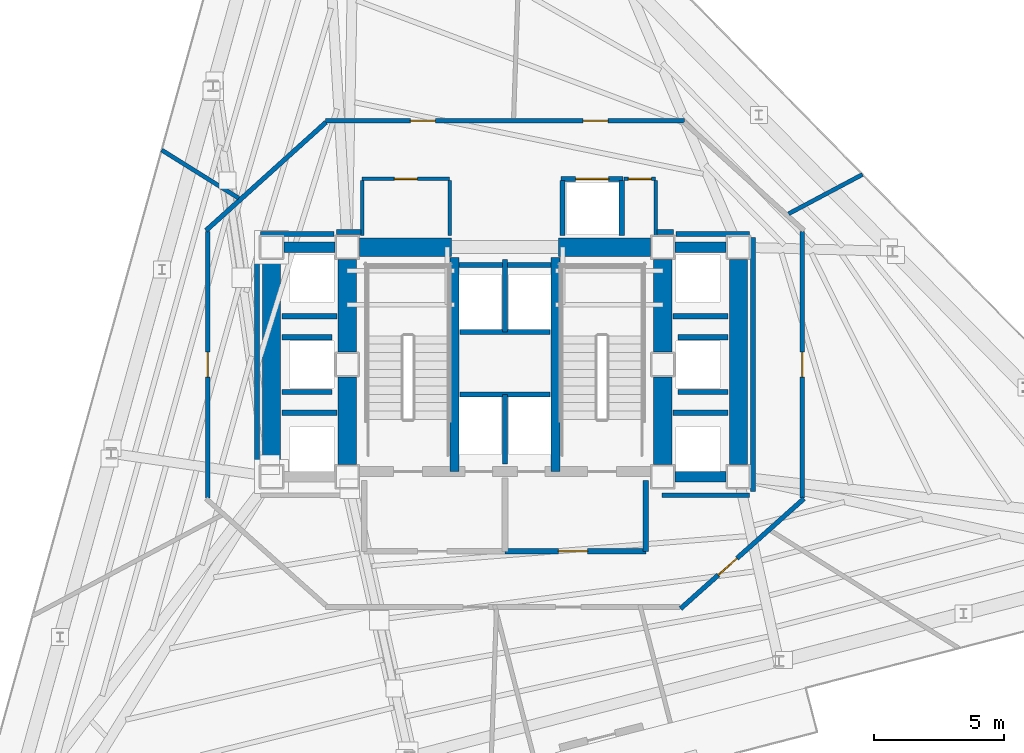
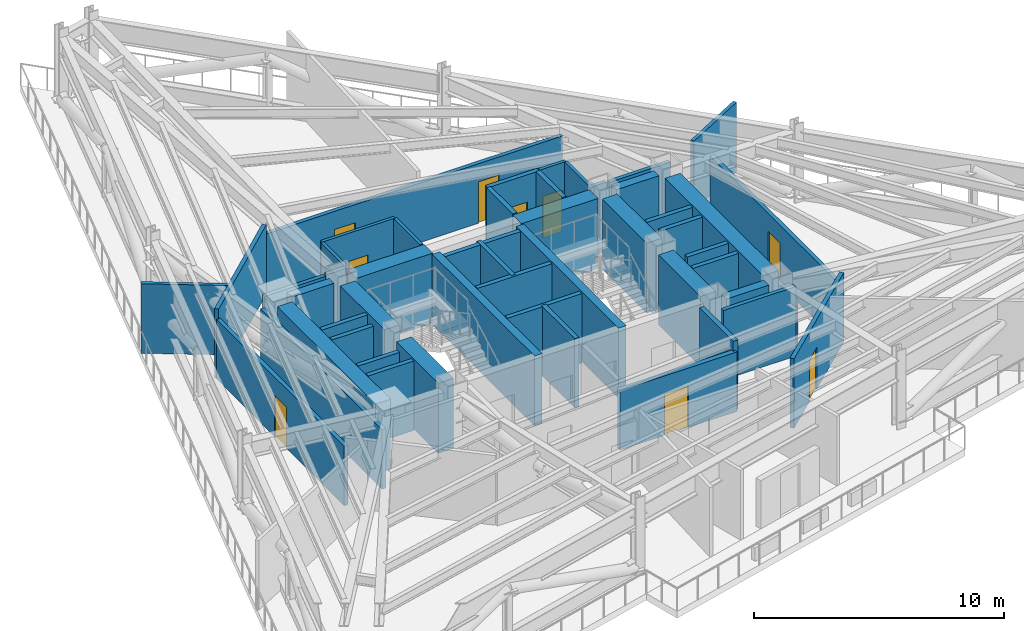
# One storey, part 7 of 11: 50 walls, 9 doors, 9 openings.
"""IFC4 building model written with IfcOpenShell, lengths in metres."""

from ifc_helpers import new_model, si_unit, direction, frame, frame_2d, origin, place, context, subcontext, project, spatial, rectangle, extrude, material, layer, layer_set, type_object, element, fill, save


model = new_model("IFC4")

# Units and contexts
model_context = context("Model", 3, precision=1e-05, world=origin(), true_north=direction((0.0, 1.0)))
body_context = subcontext(model_context, "Body", "Model", "MODEL_VIEW")
ifc_project = project(units=[si_unit("LENGTHUNIT", "METRE"), si_unit("AREAUNIT", "SQUARE_METRE"), si_unit("VOLUMEUNIT", "CUBIC_METRE"), si_unit("PLANEANGLEUNIT", "RADIAN"), si_unit("MASSUNIT", "GRAM", prefix="KILO")], contexts=[model_context])

# Site, building, storey
site_placement = place(None, origin())
site = spatial("IfcSite", under=ifc_project, at=site_placement, CompositionType="ELEMENT")
building_placement = place(site_placement, origin())
building = spatial("IfcBuilding", under=site, at=building_placement, Name="Rocaltana Carrier Exchange", CompositionType="ELEMENT")
storey_placement = place(building_placement, frame((0.0, 0.0, 100.800048828125)))
storey = spatial("IfcBuildingStorey", under=building, at=storey_placement, Name="L31", CompositionType="ELEMENT", Elevation=100.800048828125)

# Walls
ifc_material_1 = material(Name="Double Acoustic Gypsum Partition", Category="gypsum")
ifc_layer_1 = layer(ifc_material_1, 0.159912109375)
ifc_layer_set_1 = layer_set([ifc_layer_1], Name="Double Acoustic Gypsum Partition")
wall_type_1 = type_object("IfcWallType", Name="Acoustic Studio Partition 160 EI60", PredefinedType="PARTITIONING", material=ifc_layer_set_1)
wall_1_placement = place(storey_placement, frame((10.874267578125, 5.781982421875, 0.0), z_axis=(0.0, 0.0, 1.0), x_axis=(0.882948212964, 0.469470396536, 0.0)))
element("IfcWall", 1, at=wall_1_placement, inside=storey, type_object=wall_type_1, Name="L31 Suite Divider Wall D4", PredefinedType="PARTITIONING", context=body_context, shape_type="SweptSolid", body=[
    extrude(rectangle(XDim=3.209228515625, YDim=0.159912109375, at=frame_2d((1.6044921875, 0.0))), origin(), (0.0, 0.0, 1.0), 3.39306640625),
])
wall_2_placement = place(storey_placement, frame((-10.2109375, 6.380615234375, 0.0), z_axis=(0.0, 0.0, 1.0), x_axis=(-0.848061277386, 0.529898169272, 0.0)))
element("IfcWall", 2, at=wall_2_placement, inside=storey, type_object=wall_type_1, Name="L31 Suite Divider Wall D6", PredefinedType="PARTITIONING", context=body_context, shape_type="SweptSolid", body=[
    extrude(rectangle(XDim=3.484619140625, YDim=0.159912109375, at=frame_2d((1.7421875, 0.0))), origin(), (0.0, 0.0, 1.0), 3.39306640625),
])
ifc_material_2 = material(Name="Concrete C50/60", Category="concrete")
ifc_layer_2 = layer(ifc_material_2, 0.35009765625)
ifc_layer_set_2 = layer_set([ifc_layer_2], Name="Concrete C50/60")
wall_type_2 = type_object("IfcWallType", Name="Core Internal Shear Wall 350", PredefinedType="SHEAR", material=ifc_layer_set_2)
for number, where, z_axis, x_axis, name in (
    (3, (-1.93994140625, -4.10009765625, 0.0), (0.0, 0.0, 1.0), (0.0, 1.0, 0.0), "L31 Core Shear Wall CW-STW"),
    (4, (1.93994140625, -4.10009765625, 0.0), (0.0, 0.0, 1.0), (0.0, 1.0, 0.0), "L31 Core Shear Wall CW-STE"),
):
    element("IfcWall", number, at=place(storey_placement, frame(where, z_axis=z_axis, x_axis=x_axis)), inside=storey, type_object=wall_type_2, Name=name, PredefinedType="SHEAR", context=body_context, shape_type="SweptSolid", body=[
        extrude(rectangle(XDim=8.2001953125, YDim=0.35009765625, at=frame_2d((4.10009765625, 0.0))), origin(), (0.0, 0.0, 1.0), 3.41796875),
    ])
ifc_material_3 = material(Name="Concrete C50/60", Category="concrete")
ifc_layer_3 = layer(ifc_material_3, 0.39990234375)
ifc_layer_set_3 = layer_set([ifc_layer_3], Name="Concrete C50/60")
wall_type_3 = type_object("IfcWallType", Name="Core Internal Shear Wall 400", PredefinedType="SHEAR", material=ifc_layer_set_3)
for number, where, z_axis, x_axis, name in (
    (5, (-8.47509765625, 4.5, 0.0), (0.0, 0.0, 1.0), (1.0, 0.0, 0.0), "L31 Core Shear Wall CW-WWN"),
    (6, (6.52490234375, 4.5, 0.0), (0.0, 0.0, 1.0), (1.0, 0.0, 0.0), "L31 Core Shear Wall CW-EWN"),
    (7, (6.52490234375, -4.300048828125, 0.0), (0.0, 0.0, 1.0), (1.0, 0.0, 0.0), "L31 Core Shear Wall CW-EWS"),
):
    element("IfcWall", number, at=place(storey_placement, frame(where, z_axis=z_axis, x_axis=x_axis)), inside=storey, type_object=wall_type_3, Name=name, PredefinedType="SHEAR", context=body_context, shape_type="SweptSolid", body=[
        extrude(rectangle(XDim=1.9501953125, YDim=0.39990234375, at=frame_2d((0.97509765625, 0.0))), origin(), (0.0, 0.0, 1.0), 3.41796875),
    ])
ifc_material_4 = material(Name="Concrete C60/75", Category="concrete")
ifc_layer_4 = layer(ifc_material_4, 0.699951171875)
ifc_layer_set_4 = layer_set([ifc_layer_4], Name="Concrete C60/75")
wall_type_4 = type_object("IfcWallType", Name="Core Shear Wall 700", PredefinedType="SHEAR", material=ifc_layer_set_4)
wall_3_placement = place(storey_placement, frame((-6.050048828125, 0.47509765625, 0.0), z_axis=(0.0, 0.0, 1.0), x_axis=(0.0, 1.0, 0.0)))
element("IfcWall", 8, at=wall_3_placement, inside=storey, type_object=wall_type_4, Name="L31 Core Shear Wall CW-WN", PredefinedType="SHEAR", context=body_context, shape_type="SweptSolid", body=[
    extrude(rectangle(XDim=3.5498046875, YDim=0.699951171875, at=frame_2d((1.77490234375, 0.0))), origin(), (0.0, 0.0, 1.0), 3.41796875),
])
wall_4_placement = place(storey_placement, frame((-6.050048828125, -3.824951171875, 0.0), z_axis=(0.0, 0.0, 1.0), x_axis=(0.0, 1.0, 0.0)))
element("IfcWall", 9, at=wall_4_placement, inside=storey, type_object=wall_type_4, Name="L31 Core Shear Wall CW-WS", PredefinedType="SHEAR", context=body_context, shape_type="SweptSolid", body=[
    extrude(rectangle(XDim=3.349853515625, YDim=0.699951171875, at=frame_2d((1.6748046875, 0.0))), origin(), (0.0, 0.0, 1.0), 3.41796875),
])
wall_5_placement = place(storey_placement, frame((6.050048828125, 0.47509765625, 0.0), z_axis=(0.0, 0.0, 1.0), x_axis=(0.0, 1.0, 0.0)))
element("IfcWall", 10, at=wall_5_placement, inside=storey, type_object=wall_type_4, Name="L31 Core Shear Wall CW-EN", PredefinedType="SHEAR", context=body_context, shape_type="SweptSolid", body=[
    extrude(rectangle(XDim=3.5498046875, YDim=0.699951171875, at=frame_2d((1.77490234375, 0.0))), origin(), (0.0, 0.0, 1.0), 3.41796875),
])
wall_6_placement = place(storey_placement, frame((6.050048828125, -3.824951171875, 0.0), z_axis=(0.0, 0.0, 1.0), x_axis=(0.0, 1.0, 0.0)))
element("IfcWall", 11, at=wall_6_placement, inside=storey, type_object=wall_type_4, Name="L31 Core Shear Wall CW-ES", PredefinedType="SHEAR", context=body_context, shape_type="SweptSolid", body=[
    extrude(rectangle(XDim=3.349853515625, YDim=0.699951171875, at=frame_2d((1.6748046875, 0.0))), origin(), (0.0, 0.0, 1.0), 3.41796875),
])
for number, where, z_axis, x_axis, name in (
    (12, (-5.574951171875, 4.5, 0.0), (0.0, 0.0, 1.0), (1.0, 0.0, 0.0), "L31 Core Shear Wall CW-N1"),
    (13, (2.050048828125, 4.5, 0.0), (0.0, 0.0, 1.0), (1.0, 0.0, 0.0), "L31 Core Shear Wall CW-N2"),
):
    element("IfcWall", number, at=place(storey_placement, frame(where, z_axis=z_axis, x_axis=x_axis)), inside=storey, type_object=wall_type_4, Name=name, PredefinedType="SHEAR", context=body_context, shape_type="SweptSolid", body=[
        extrude(rectangle(XDim=3.52490234375, YDim=0.699951171875, at=frame_2d((1.762451171875, 0.0))), origin(), (0.0, 0.0, 1.0), 3.41796875),
    ])
for number, where, z_axis, x_axis, name in (
    (14, (-8.949951171875, -3.824951171875, 0.0), (0.0, 0.0, 1.0), (0.0, 1.0, 0.0), "L31 Core Shear Wall CW-WW"),
    (15, (8.949951171875, -3.824951171875, 0.0), (0.0, 0.0, 1.0), (0.0, 1.0, 0.0), "L31 Core Shear Wall CW-EW"),
):
    element("IfcWall", number, at=place(storey_placement, frame(where, z_axis=z_axis, x_axis=x_axis)), inside=storey, type_object=wall_type_4, Name=name, PredefinedType="SHEAR", context=body_context, shape_type="SweptSolid", body=[
        extrude(rectangle(XDim=7.849853515625, YDim=0.699951171875, at=frame_2d((3.9248046875, 0.0))), origin(), (0.0, 0.0, 1.0), 3.41796875),
    ])

# Wall, openings, doors
ifc_material_5 = material(Name="Gypsum & Steel Stud Partition", Category="steel")
ifc_layer_5 = layer(ifc_material_5, 0.179931640625)
ifc_layer_set_5 = layer_set([ifc_layer_5], Name="Gypsum & Steel Stud Partition")
wall_type_5 = type_object("IfcWallType", Name="Corridor Fire Partition 180 EI60", PredefinedType="PARTITIONING", material=ifc_layer_set_5)
wall_7_placement = place(storey_placement, frame((-6.889892578125, 9.35009765625, 0.0), z_axis=(0.0, 0.0, 1.0), x_axis=(1.0, 0.0, 0.0)))
wall_7 = element("IfcWall", 16, at=wall_7_placement, inside=storey, type_object=wall_type_5, Name="L31 Corridor Partition 1", PredefinedType="PARTITIONING", context=body_context, shape_type="SweptSolid", body=[
    extrude(rectangle(XDim=13.77978515625, YDim=0.179931640625, at=frame_2d((6.889892578125, 0.0))), origin(), (0.0, 0.0, 1.0), 2.906982421875),
])
opening_1_placement = place(wall_7_placement, frame((9.889404296875, 0.0, 0.0)))
opening_1 = element("IfcOpeningElement", 17, at=opening_1_placement, cuts=wall_7, Name="Opening D-RM098", PredefinedType="OPENING", context=body_context, shape_type="SweptSolid", body=[
    extrude(rectangle(XDim=0.9599609375, YDim=2.02001953125, at=frame_2d((0.47998046875, 1.010009765625))), frame((0.0, 0.099853515625, 0.0), z_axis=(0.0, -1.0, 0.0), x_axis=(1.0, 0.0, 0.0)), (0.0, 0.0, 1.0), 0.199951171875),
])
opening_2_placement = place(wall_7_placement, frame((3.260009765625, 0.0, 0.0)))
opening_2 = element("IfcOpeningElement", 18, at=opening_2_placement, cuts=wall_7, Name="Opening D-RM098", PredefinedType="OPENING", context=body_context, shape_type="SweptSolid", body=[
    extrude(rectangle(XDim=0.9599609375, YDim=2.02001953125, at=frame_2d((0.47998046875, 1.010009765625))), frame((0.0, 0.099853515625, 0.0), z_axis=(0.0, -1.0, 0.0), x_axis=(1.0, 0.0, 0.0)), (0.0, 0.0, 1.0), 0.199951171875),
])
ifc_material_6 = material(Name="Engineered Hardwood Timber", Category="wood")
door_type_1 = type_object("IfcDoorType", Name="Workspace Single Door 960x2020", OperationType="NOTDEFINED", PredefinedType="DOOR", material=ifc_material_6)
door_1_placement = place(opening_1_placement, origin())
door_1 = element("IfcDoor", 19, at=door_1_placement, inside=storey, type_object=door_type_1, Name="L31 Thermal Hydronic Pump Room Entrance Door", OperationType="SINGLE_SWING_RIGHT", OverallHeight=2.02001953125, OverallWidth=0.9599609375, PredefinedType="DOOR", context=body_context, shape_type="SweptSolid", body=[
    extrude(rectangle(XDim=0.9599609375, YDim=2.02001953125, at=frame_2d((0.47998046875, 1.010009765625))), frame((0.0, 0.02490234375, 0.0), z_axis=(0.0, -1.0, 0.0), x_axis=(1.0, 0.0, 0.0)), (0.0, 0.0, 1.0), 0.050048828125),
])
fill(opening_1, door_1)
door_2_placement = place(opening_2_placement, origin())
door_2 = element("IfcDoor", 20, at=door_2_placement, inside=storey, type_object=door_type_1, Name="L31 Heat Recovery Plenum Room Entrance Door", OperationType="SINGLE_SWING_LEFT", OverallHeight=2.02001953125, OverallWidth=0.9599609375, PredefinedType="DOOR", context=body_context, shape_type="SweptSolid", body=[
    extrude(rectangle(XDim=0.9599609375, YDim=2.02001953125, at=frame_2d((0.47998046875, 1.010009765625))), frame((0.0, 0.02490234375, 0.0), z_axis=(0.0, -1.0, 0.0), x_axis=(1.0, 0.0, 0.0)), (0.0, 0.0, 1.0), 0.050048828125),
])
fill(opening_2, door_2)

# Wall, opening, door
wall_8_placement = place(storey_placement, frame((11.39990234375, 5.110107421875, 0.0), z_axis=(0.0, 0.0, 1.0), x_axis=(0.0, -1.0, 0.0)))
wall_8 = element("IfcWall", 21, at=wall_8_placement, inside=storey, type_object=wall_type_5, Name="L31 Corridor Partition 3", PredefinedType="PARTITIONING", context=body_context, shape_type="SweptSolid", body=[
    extrude(rectangle(XDim=10.22021484375, YDim=0.179931640625, at=frame_2d((5.110107421875, 0.0))), origin(), (0.0, 0.0, 1.0), 2.906982421875),
])
opening_3_placement = place(wall_8_placement, frame((4.6298828125, 0.0, 0.0)))
opening_3 = element("IfcOpeningElement", 22, at=opening_3_placement, cuts=wall_8, Name="Opening D-RM098", PredefinedType="OPENING", context=body_context, shape_type="SweptSolid", body=[
    extrude(rectangle(XDim=0.9599609375, YDim=2.02001953125, at=frame_2d((0.47998046875, 1.010009765625))), frame((0.0, 0.099853515625, 0.0), z_axis=(0.0, -1.0, 0.0), x_axis=(1.0, 0.0, 0.0)), (0.0, 0.0, 1.0), 0.199951171875),
])
door_3_placement = place(opening_3_placement, origin())
door_3 = element("IfcDoor", 23, at=door_3_placement, inside=storey, type_object=door_type_1, Name="L31 Primary Electrical Switchgear Room Entrance Door", OperationType="SINGLE_SWING_LEFT", OverallHeight=2.02001953125, OverallWidth=0.9599609375, PredefinedType="DOOR", context=body_context, shape_type="SweptSolid", body=[
    extrude(rectangle(XDim=0.9599609375, YDim=2.02001953125, at=frame_2d((0.47998046875, 1.010009765625))), frame((0.0, 0.02490234375, 0.0), z_axis=(0.0, -1.0, 0.0), x_axis=(1.0, 0.0, 0.0)), (0.0, 0.0, 1.0), 0.050048828125),
])
fill(opening_3, door_3)

wall_9_placement = place(storey_placement, frame((11.46728515625, -5.14013671875, 0.0), z_axis=(0.0, 0.0, 1.0), x_axis=(-0.746516597114, -0.665366793756, 0.0)))
wall_9 = element("IfcWall", 24, at=wall_9_placement, inside=storey, type_object=wall_type_5, Name="L31 Corridor Partition 4", PredefinedType="PARTITIONING", context=body_context, shape_type="SweptSolid", body=[
    extrude(rectangle(XDim=6.342041015625, YDim=0.179931640625, at=frame_2d((3.1708984375, 0.0))), origin(), (0.0, 0.0, 1.0), 3.39306640625),
])
opening_4_placement = place(wall_9_placement, frame((3.445068359375, 0.0, 0.0)))
opening_4 = element("IfcOpeningElement", 25, at=opening_4_placement, cuts=wall_9, Name="Opening D-RM098", PredefinedType="OPENING", context=body_context, shape_type="SweptSolid", body=[
    extrude(rectangle(XDim=0.9599609375, YDim=2.02001953125, at=frame_2d((0.47998046875, 1.010009765625))), frame((0.0, 0.099853515625, 0.0), z_axis=(0.0, -1.0, 0.0), x_axis=(1.0, 0.0, 0.0)), (0.0, 0.0, 1.0), 0.199951171875),
])
door_4_placement = place(opening_4_placement, origin())
door_4 = element("IfcDoor", 26, at=door_4_placement, inside=storey, type_object=door_type_1, Name="L31 Adiabatic Chiller Plant Room Entrance Door", OperationType="SINGLE_SWING_RIGHT", OverallHeight=2.02001953125, OverallWidth=0.9599609375, PredefinedType="DOOR", context=body_context, shape_type="SweptSolid", body=[
    extrude(rectangle(XDim=0.9599609375, YDim=2.02001953125, at=frame_2d((0.47998046875, 1.010009765625))), frame((0.0, 0.02490234375, 0.0), z_axis=(0.0, -1.0, 0.0), x_axis=(1.0, 0.0, 0.0)), (0.0, 0.0, 1.0), 0.050048828125),
])
fill(opening_4, door_4)

wall_10_placement = place(storey_placement, frame((-11.39990234375, -5.110107421875, 0.0), z_axis=(0.0, 0.0, 1.0), x_axis=(0.0, 1.0, 0.0)))
wall_10 = element("IfcWall", 27, at=wall_10_placement, inside=storey, type_object=wall_type_5, Name="L31 Corridor Partition 7", PredefinedType="PARTITIONING", context=body_context, shape_type="SweptSolid", body=[
    extrude(rectangle(XDim=10.22021484375, YDim=0.179931640625, at=frame_2d((5.110107421875, 0.0))), origin(), (0.0, 0.0, 1.0), 2.906982421875),
])
opening_5_placement = place(wall_10_placement, frame((4.6298828125, 0.0, 0.0)))
opening_5 = element("IfcOpeningElement", 28, at=opening_5_placement, cuts=wall_10, Name="Opening D-RM098", PredefinedType="OPENING", context=body_context, shape_type="SweptSolid", body=[
    extrude(rectangle(XDim=0.9599609375, YDim=2.02001953125, at=frame_2d((0.47998046875, 1.010009765625))), frame((0.0, 0.099853515625, 0.0), z_axis=(0.0, -1.0, 0.0), x_axis=(1.0, 0.0, 0.0)), (0.0, 0.0, 1.0), 0.199951171875),
])
door_5_placement = place(opening_5_placement, origin())
door_5 = element("IfcDoor", 29, at=door_5_placement, inside=storey, type_object=door_type_1, Name="L31 Pressurised Refuge Area Entrance Door", OperationType="SINGLE_SWING_RIGHT", OverallHeight=2.02001953125, OverallWidth=0.9599609375, PredefinedType="DOOR", context=body_context, shape_type="SweptSolid", body=[
    extrude(rectangle(XDim=0.9599609375, YDim=2.02001953125, at=frame_2d((0.47998046875, 1.010009765625))), frame((0.0, 0.02490234375, 0.0), z_axis=(0.0, -1.0, 0.0), x_axis=(1.0, 0.0, 0.0)), (0.0, 0.0, 1.0), 0.050048828125),
])
fill(opening_5, door_5)

# Walls
wall_11_placement = place(storey_placement, frame((-11.466796875, 5.1396484375, 0.0), z_axis=(0.0, 0.0, 1.0), x_axis=(0.742486327971, 0.669861219042, 0.0)))
element("IfcWall", 30, at=wall_11_placement, inside=storey, type_object=wall_type_5, Name="L31 Corridor Partition 8", PredefinedType="PARTITIONING", context=body_context, shape_type="SweptSolid", body=[
    extrude(rectangle(XDim=6.195556640625, YDim=0.179931640625, at=frame_2d((3.09765625, 0.0))), origin(), (0.0, 0.0, 1.0), 3.39306640625),
])
wall_12_placement = place(storey_placement, frame((-9.510009765625, 4.8701171875, 0.0), z_axis=(0.0, 0.0, 1.0), x_axis=(0.0, -1.0, 0.0)))
element("IfcWall", 31, at=wall_12_placement, inside=storey, type_object=wall_type_5, Name="L31 Corridor Partition 9", PredefinedType="PARTITIONING", context=body_context, shape_type="SweptSolid", body=[
    extrude(rectangle(XDim=9.740234375, YDim=0.179931640625, at=frame_2d((4.8701171875, 0.0))), origin(), (0.0, 0.0, 1.0), 2.906982421875),
])
wall_13_placement = place(storey_placement, frame((6.030029296875, -5.010009765625, 0.0), z_axis=(0.0, 0.0, 1.0), x_axis=(1.0, 0.0, 0.0)))
element("IfcWall", 32, at=wall_13_placement, inside=storey, type_object=wall_type_5, Name="L31 Corridor Partition 13", PredefinedType="PARTITIONING", context=body_context, shape_type="SweptSolid", body=[
    extrude(rectangle(XDim=3.340087890625, YDim=0.179931640625, at=frame_2d((1.669921875, 0.0))), origin(), (0.0, 0.0, 1.0), 3.39306640625),
])
wall_14_placement = place(storey_placement, frame((9.510009765625, -4.8701171875, 0.0), z_axis=(0.0, 0.0, 1.0), x_axis=(0.0, 1.0, 0.0)))
element("IfcWall", 33, at=wall_14_placement, inside=storey, type_object=wall_type_5, Name="L31 Corridor Partition 14", PredefinedType="PARTITIONING", context=body_context, shape_type="SweptSolid", body=[
    extrude(rectangle(XDim=9.740234375, YDim=0.179931640625, at=frame_2d((4.8701171875, 0.0))), origin(), (0.0, 0.0, 1.0), 2.599853515625),
])
wall_15_placement = place(storey_placement, frame((9.3701171875, 5.010009765625, 0.0), z_axis=(0.0, 0.0, 1.0), x_axis=(-1.0, 0.0, 0.0)))
element("IfcWall", 34, at=wall_15_placement, inside=storey, type_object=wall_type_5, Name="L31 Corridor Partition 15", PredefinedType="PARTITIONING", context=body_context, shape_type="SweptSolid", body=[
    extrude(rectangle(XDim=2.807861328125, YDim=0.179931640625, at=frame_2d((1.40380859375, 0.0))), origin(), (0.0, 0.0, 1.0), 3.39306640625),
])
wall_16_placement = place(storey_placement, frame((6.469970703125, 5.080078125, 0.0), z_axis=(0.0, 0.0, 1.0), x_axis=(-1.0, 0.0, 0.0)))
element("IfcWall", 35, at=wall_16_placement, inside=storey, type_object=wall_type_5, Name="L31 Corridor Partition 16", PredefinedType="PARTITIONING", context=body_context, shape_type="SweptSolid", body=[
    extrude(rectangle(XDim=0.64990234375, YDim=0.179931640625, at=frame_2d((0.324951171875, 0.0))), origin(), (0.0, 0.0, 1.0), 3.39306640625),
])
wall_17_placement = place(storey_placement, frame((-5.52001953125, 5.080078125, 0.0), z_axis=(0.0, 0.0, 1.0), x_axis=(-1.0, 0.0, 0.0)))
element("IfcWall", 36, at=wall_17_placement, inside=storey, type_object=wall_type_5, Name="L31 Corridor Partition 19", PredefinedType="PARTITIONING", context=body_context, shape_type="SweptSolid", body=[
    extrude(rectangle(XDim=0.949951171875, YDim=0.179931640625, at=frame_2d((0.47509765625, 0.0))), origin(), (0.0, 0.0, 1.0), 3.39306640625),
])
wall_18_placement = place(storey_placement, frame((-6.562255859375, 5.010009765625, 0.0), z_axis=(0.0, 0.0, 1.0), x_axis=(-1.0, 0.0, 0.0)))
element("IfcWall", 37, at=wall_18_placement, inside=storey, type_object=wall_type_5, Name="L31 Corridor Partition 20", PredefinedType="PARTITIONING", context=body_context, shape_type="SweptSolid", body=[
    extrude(rectangle(XDim=2.807861328125, YDim=0.179931640625, at=frame_2d((1.40380859375, 0.0))), origin(), (0.0, 0.0, 1.0), 3.39306640625),
])
ifc_material_7 = material(Name="Autoclaved Aerated Concrete C30/37", Category="concrete")
ifc_layer_6 = layer(ifc_material_7, 0.219970703125)
ifc_layer_set_6 = layer_set([ifc_layer_6], Name="Autoclaved Aerated Concrete C30/37")
wall_type_6 = type_object("IfcWallType", Name="Firefighting Lobby Wall 220 EI120", PredefinedType="PARTITIONING", material=ifc_layer_set_6)
wall_19_placement = place(storey_placement, frame((5.39990234375, -7.159912109375, 0.0), z_axis=(0.0, 0.0, 1.0), x_axis=(0.0, 1.0, 0.0)))
element("IfcWall", 38, at=wall_19_placement, inside=storey, type_object=wall_type_6, Name="L31 FFL Lobby 2 East Wall", PredefinedType="PARTITIONING", context=body_context, shape_type="SweptSolid", body=[
    extrude(rectangle(XDim=2.7099609375, YDim=0.219970703125, at=frame_2d((1.35498046875, 0.0))), origin(), (0.0, 0.0, 1.0), 3.39306640625),
])

# Wall, opening, door
wall_20_placement = place(storey_placement, frame((0.0, -7.159912109375, 0.0), z_axis=(0.0, 0.0, 1.0), x_axis=(1.0, 0.0, 0.0)))
wall_20 = element("IfcWall", 39, at=wall_20_placement, inside=storey, type_object=wall_type_6, Name="L31 FFL Lobby 2 South Wall", PredefinedType="PARTITIONING", context=body_context, shape_type="SweptSolid", body=[
    extrude(rectangle(XDim=5.39990234375, YDim=0.219970703125, at=frame_2d((2.699951171875, 0.0))), origin(), (0.0, 0.0, 1.0), 2.906982421875),
])
opening_6_placement = place(wall_20_placement, frame((2.050048828125, 0.0, 0.0)))
opening_6 = element("IfcOpeningElement", 40, at=opening_6_placement, cuts=wall_20, Name="Opening D-FF115", PredefinedType="OPENING", context=body_context, shape_type="SweptSolid", body=[
    extrude(rectangle(XDim=1.1201171875, YDim=2.02001953125, at=frame_2d((0.56005859375, 1.010009765625))), frame((0.0, 0.119873046875, 0.0), z_axis=(0.0, -1.0, 0.0), x_axis=(1.0, 0.0, 0.0)), (0.0, 0.0, 1.0), 0.239990234375),
])
ifc_material_8 = material(Name="Hollow Metal Fire Door Assembly", Category="steel")
door_type_2 = type_object("IfcDoorType", Name="Firefighting Lobby Door 1120x2020 FD60S", OperationType="NOTDEFINED", PredefinedType="DOOR", material=ifc_material_8)
door_6_placement = place(opening_6_placement, origin())
door_6 = element("IfcDoor", 41, at=door_6_placement, inside=storey, type_object=door_type_2, Name="L31 Firefighting Lift Lobby 2 Door", OperationType="SINGLE_SWING_RIGHT", OverallHeight=2.02001953125, OverallWidth=1.1201171875, PredefinedType="DOOR", context=body_context, shape_type="SweptSolid", body=[
    extrude(rectangle(XDim=1.1201171875, YDim=2.02001953125, at=frame_2d((0.56005859375, 1.010009765625))), frame((0.0, 0.02490234375, 0.0), z_axis=(0.0, -1.0, 0.0), x_axis=(1.0, 0.0, 0.0)), (0.0, 0.0, 1.0), 0.050048828125),
])
fill(opening_6, door_6)

# Walls
ifc_material_9 = material(Name="Reinforced Concrete Block C35/45", Category="concrete")
ifc_layer_7 = layer(ifc_material_9, 0.199951171875)
ifc_layer_set_7 = layer_set([ifc_layer_7], Name="Reinforced Concrete Block C35/45")
wall_type_7 = type_object("IfcWallType", Name="Lift Hoistway Enclosure Wall 200 EI120", PredefinedType="PARTITIONING", material=ifc_layer_set_7)
wall_21_placement = place(storey_placement, frame((0.0, -3.820068359375, 0.0), z_axis=(0.0, 0.0, 1.0), x_axis=(0.0, 1.0, 0.0)))
element("IfcWall", 42, at=wall_21_placement, inside=storey, type_object=wall_type_7, Name="L31 FFL Shaft Divider", PredefinedType="PARTITIONING", context=body_context, shape_type="SweptSolid", body=[
    extrude(rectangle(XDim=2.670166015625, YDim=0.199951171875, at=frame_2d((1.3349609375, 0.0))), origin(), (0.0, 0.0, 1.0), 3.39306640625),
])
wall_22_placement = place(storey_placement, frame((-1.719970703125, -1.14990234375, 0.0), z_axis=(0.0, 0.0, 1.0), x_axis=(1.0, 0.0, 0.0)))
element("IfcWall", 43, at=wall_22_placement, inside=storey, type_object=wall_type_7, Name="L31 FFL Shaft Back Wall", PredefinedType="PARTITIONING", context=body_context, shape_type="SweptSolid", body=[
    extrude(rectangle(XDim=3.43994140625, YDim=0.199951171875, at=frame_2d((1.719970703125, 0.0))), origin(), (0.0, 0.0, 1.0), 3.39306640625),
])
wall_23_placement = place(storey_placement, frame((0.0, 1.25, 0.0), z_axis=(0.0, 0.0, 1.0), x_axis=(0.0, 1.0, 0.0)))
element("IfcWall", 44, at=wall_23_placement, inside=storey, type_object=wall_type_7, Name="L31 High-Rise Shaft Divider", PredefinedType="PARTITIONING", context=body_context, shape_type="SweptSolid", body=[
    extrude(rectangle(XDim=2.77001953125, YDim=0.199951171875, at=frame_2d((1.385009765625, 0.0))), origin(), (0.0, 0.0, 1.0), 3.39306640625),
])
wall_24_placement = place(storey_placement, frame((-1.719970703125, 1.25, 0.0), z_axis=(0.0, 0.0, 1.0), x_axis=(1.0, 0.0, 0.0)))
element("IfcWall", 45, at=wall_24_placement, inside=storey, type_object=wall_type_7, Name="L31 High-Rise Shaft Back Wall", PredefinedType="PARTITIONING", context=body_context, shape_type="SweptSolid", body=[
    extrude(rectangle(XDim=3.43994140625, YDim=0.199951171875, at=frame_2d((1.719970703125, 0.0))), origin(), (0.0, 0.0, 1.0), 3.39306640625),
])
wall_25_placement = place(storey_placement, frame((-1.760009765625, 3.820068359375, 0.0), z_axis=(0.0, 0.0, 1.0), x_axis=(1.0, 0.0, 0.0)))
element("IfcWall", 46, at=wall_25_placement, inside=storey, type_object=wall_type_7, Name="L31 High-Rise Lift Front Wall", PredefinedType="PARTITIONING", context=body_context, shape_type="SweptSolid", body=[
    extrude(rectangle(XDim=3.52001953125, YDim=0.199951171875, at=frame_2d((1.760009765625, 0.0))), origin(), (0.0, 0.0, 1.0), 3.39306640625),
])
for number, where, z_axis, x_axis, name in (
    (47, (2.199951171875, 4.949951171875, 0.0), (0.0, 0.0, 1.0), (0.0, 1.0, 0.0), "L31 Goods Lift West Wall"),
    (48, (4.47998046875, 4.949951171875, 0.0), (0.0, 0.0, 1.0), (0.0, 1.0, 0.0), "L31 Goods Lift East Wall"),
):
    element("IfcWall", number, at=place(storey_placement, frame(where, z_axis=z_axis, x_axis=x_axis)), inside=storey, type_object=wall_type_7, Name=name, PredefinedType="PARTITIONING", context=body_context, shape_type="SweptSolid", body=[
        extrude(rectangle(XDim=2.10009765625, YDim=0.199951171875, at=frame_2d((1.050048828125, 0.0))), origin(), (0.0, 0.0, 1.0), 3.39306640625),
    ])

# Wall, opening, door
wall_26_placement = place(storey_placement, frame((2.14990234375, 7.1201171875, 0.0), z_axis=(0.0, 0.0, 1.0), x_axis=(1.0, 0.0, 0.0)))
wall_26 = element("IfcWall", 49, at=wall_26_placement, inside=storey, type_object=wall_type_7, Name="L31 Goods Lift Front Wall", PredefinedType="PARTITIONING", context=body_context, shape_type="SweptSolid", body=[
    extrude(rectangle(XDim=2.380126953125, YDim=0.199951171875, at=frame_2d((1.18994140625, 0.0))), origin(), (0.0, 0.0, 1.0), 3.39306640625),
])
opening_7_placement = place(wall_26_placement, frame((0.56005859375, 0.0, 0.0)))
opening_7 = element("IfcOpeningElement", 50, at=opening_7_placement, cuts=wall_26, Name="Opening LD-130", PredefinedType="OPENING", context=body_context, shape_type="SweptSolid", body=[
    extrude(rectangle(XDim=1.260009765625, YDim=2.06005859375, at=frame_2d((0.6298828125, 1.030029296875))), frame((0.0, 0.10986328125, 0.0), z_axis=(0.0, -1.0, 0.0), x_axis=(1.0, 0.0, 0.0)), (0.0, 0.0, 1.0), 0.219970703125),
])
ifc_material_10 = material(Name="Brushed Stainless Sliding Door Leaf", Category="steel")
door_type_3 = type_object("IfcDoorType", Name="Goods Lift Landing Sliding Door 1260x2060", OperationType="NOTDEFINED", PredefinedType="DOOR", material=ifc_material_10)
door_7_placement = place(opening_7_placement, origin())
door_7 = element("IfcDoor", 51, at=door_7_placement, inside=storey, type_object=door_type_3, Name="L31 Goods Lift GL-1 Landing Door", OperationType="SLIDING_TO_LEFT", OverallHeight=2.06005859375, OverallWidth=1.260009765625, PredefinedType="DOOR", context=body_context, shape_type="SweptSolid", body=[
    extrude(rectangle(XDim=1.260009765625, YDim=2.06005859375, at=frame_2d((0.6298828125, 1.030029296875))), frame((0.0, 0.02490234375, 0.0), z_axis=(0.0, -1.0, 0.0), x_axis=(1.0, 0.0, 0.0)), (0.0, 0.0, 1.0), 0.050048828125),
])
fill(opening_7, door_7)

# Walls
for number, where, z_axis, x_axis, name in (
    (52, (-8.550048828125, -1.85009765625, 0.0), (0.0, 0.0, 1.0), (1.0, 0.0, 0.0), "L31 Low-Rise Shaft Divider 1"),
    (53, (-8.550048828125, 1.85009765625, 0.0), (0.0, 0.0, 1.0), (1.0, 0.0, 0.0), "L31 Low-Rise Shaft Divider 2"),
):
    element("IfcWall", number, at=place(storey_placement, frame(where, z_axis=z_axis, x_axis=x_axis)), inside=storey, type_object=wall_type_7, Name=name, PredefinedType="PARTITIONING", context=body_context, shape_type="SweptSolid", body=[
        extrude(rectangle(XDim=2.10009765625, YDim=0.199951171875, at=frame_2d((1.050048828125, 0.0))), origin(), (0.0, 0.0, 1.0), 3.39306640625),
    ])
for number, where, z_axis, x_axis, name in (
    (54, (-8.550048828125, -1.050048828125, 0.0), (0.0, 0.0, 1.0), (1.0, 0.0, 0.0), "L31 Low-Rise Center Shaft Wall South"),
    (55, (-8.550048828125, 1.050048828125, 0.0), (0.0, 0.0, 1.0), (1.0, 0.0, 0.0), "L31 Low-Rise Center Shaft Wall North"),
):
    element("IfcWall", number, at=place(storey_placement, frame(where, z_axis=z_axis, x_axis=x_axis)), inside=storey, type_object=wall_type_7, Name=name, PredefinedType="PARTITIONING", context=body_context, shape_type="SweptSolid", body=[
        extrude(rectangle(XDim=1.91015625, YDim=0.199951171875, at=frame_2d((0.955078125, 0.0))), origin(), (0.0, 0.0, 1.0), 3.39306640625),
    ])
for number, where, z_axis, x_axis, name in (
    (56, (6.449951171875, -1.85009765625, 0.0), (0.0, 0.0, 1.0), (1.0, 0.0, 0.0), "L31 Mid-Rise Shaft Divider 1"),
    (57, (6.449951171875, 1.85009765625, 0.0), (0.0, 0.0, 1.0), (1.0, 0.0, 0.0), "L31 Mid-Rise Shaft Divider 2"),
):
    element("IfcWall", number, at=place(storey_placement, frame(where, z_axis=z_axis, x_axis=x_axis)), inside=storey, type_object=wall_type_7, Name=name, PredefinedType="PARTITIONING", context=body_context, shape_type="SweptSolid", body=[
        extrude(rectangle(XDim=2.10009765625, YDim=0.199951171875, at=frame_2d((1.050048828125, 0.0))), origin(), (0.0, 0.0, 1.0), 3.39306640625),
    ])
for number, where, z_axis, x_axis, name in (
    (58, (6.639892578125, -1.050048828125, 0.0), (0.0, 0.0, 1.0), (1.0, 0.0, 0.0), "L31 Mid-Rise Center Shaft Wall South"),
    (59, (6.639892578125, 1.050048828125, 0.0), (0.0, 0.0, 1.0), (1.0, 0.0, 0.0), "L31 Mid-Rise Center Shaft Wall North"),
):
    element("IfcWall", number, at=place(storey_placement, frame(where, z_axis=z_axis, x_axis=x_axis)), inside=storey, type_object=wall_type_7, Name=name, PredefinedType="PARTITIONING", context=body_context, shape_type="SweptSolid", body=[
        extrude(rectangle(XDim=1.91015625, YDim=0.199951171875, at=frame_2d((0.955078125, 0.0))), origin(), (0.0, 0.0, 1.0), 3.39306640625),
    ])
ifc_material_11 = material(Name="Moisture-Resistant Masonry C30/37", Category="masonry")
ifc_layer_8 = layer(ifc_material_11, 0.139892578125)
ifc_layer_set_8 = layer_set([ifc_layer_8], Name="Moisture-Resistant Masonry C30/37")
wall_type_8 = type_object("IfcWallType", Name="Wet-Area Sanitary Partition 140", PredefinedType="PARTITIONING", material=ifc_layer_set_8)
for number, where, z_axis, x_axis, name in (
    (60, (-5.47998046875, 4.949951171875, 0.0), (0.0, 0.0, 1.0), (0.0, 1.0, 0.0), "L31 Sanitary West Wall"),
    (61, (-2.1201171875, 4.949951171875, 0.0), (0.0, 0.0, 1.0), (0.0, 1.0, 0.0), "L31 Sanitary East Wall"),
):
    element("IfcWall", number, at=place(storey_placement, frame(where, z_axis=z_axis, x_axis=x_axis)), inside=storey, type_object=wall_type_8, Name=name, PredefinedType="PARTITIONING", context=body_context, shape_type="SweptSolid", body=[
        extrude(rectangle(XDim=2.10009765625, YDim=0.139892578125, at=frame_2d((1.050048828125, 0.0))), origin(), (0.0, 0.0, 1.0), 3.39306640625),
    ])

# Wall, opening, door
wall_27_placement = place(storey_placement, frame((-5.47998046875, 7.1201171875, 0.0), z_axis=(0.0, 0.0, 1.0), x_axis=(1.0, 0.0, 0.0)))
wall_27 = element("IfcWall", 62, at=wall_27_placement, inside=storey, type_object=wall_type_8, Name="L31 Sanitary North Wall", PredefinedType="PARTITIONING", context=body_context, shape_type="SweptSolid", body=[
    extrude(rectangle(XDim=3.35986328125, YDim=0.139892578125, at=frame_2d((1.679931640625, 0.0))), origin(), (0.0, 0.0, 1.0), 3.39306640625),
])
opening_8_placement = place(wall_27_placement, frame((1.239990234375, 0.0, 0.0)))
opening_8 = element("IfcOpeningElement", 63, at=opening_8_placement, cuts=wall_27, Name="Opening D-WC090", PredefinedType="OPENING", context=body_context, shape_type="SweptSolid", body=[
    extrude(rectangle(XDim=0.8798828125, YDim=2.02001953125, at=frame_2d((0.43994140625, 1.010009765625))), frame((0.0, 0.079833984375, 0.0), z_axis=(0.0, -1.0, 0.0), x_axis=(1.0, 0.0, 0.0)), (0.0, 0.0, 1.0), 0.159912109375),
])
ifc_material_12 = material(Name="High-Pressure Laminate Timber", Category="wood")
door_type_4 = type_object("IfcDoorType", Name="Restroom & Accessible WC Door 880x2020", OperationType="NOTDEFINED", PredefinedType="DOOR", material=ifc_material_12)
door_8_placement = place(opening_8_placement, origin())
door_8 = element("IfcDoor", 64, at=door_8_placement, inside=storey, type_object=door_type_4, Name="L31 Accessible Toilet Door", OperationType="SINGLE_SWING_LEFT", OverallHeight=2.02001953125, OverallWidth=0.8798828125, PredefinedType="DOOR", context=body_context, shape_type="SweptSolid", body=[
    extrude(rectangle(XDim=0.8798828125, YDim=2.02001953125, at=frame_2d((0.43994140625, 1.010009765625))), frame((0.0, 0.02490234375, 0.0), z_axis=(0.0, -1.0, 0.0), x_axis=(1.0, 0.0, 0.0)), (0.0, 0.0, 1.0), 0.050048828125),
])
fill(opening_8, door_8)

# Wall
wall_28_placement = place(storey_placement, frame((5.780029296875, 4.949951171875, 0.0), z_axis=(0.0, 0.0, 1.0), x_axis=(0.0, 1.0, 0.0)))
element("IfcWall", 65, at=wall_28_placement, inside=storey, type_object=wall_type_8, Name="L31 Restroom East Wall", PredefinedType="PARTITIONING", context=body_context, shape_type="SweptSolid", body=[
    extrude(rectangle(XDim=2.10009765625, YDim=0.139892578125, at=frame_2d((1.050048828125, 0.0))), origin(), (0.0, 0.0, 1.0), 3.39306640625),
])

# Wall, opening, door
wall_29_placement = place(storey_placement, frame((4.56005859375, 7.1201171875, 0.0), z_axis=(0.0, 0.0, 1.0), x_axis=(1.0, 0.0, 0.0)))
wall_29 = element("IfcWall", 66, at=wall_29_placement, inside=storey, type_object=wall_type_8, Name="L31 Restroom North Wall", PredefinedType="PARTITIONING", context=body_context, shape_type="SweptSolid", body=[
    extrude(rectangle(XDim=1.219970703125, YDim=0.139892578125, at=frame_2d((0.60986328125, 0.0))), origin(), (0.0, 0.0, 1.0), 3.39306640625),
])
opening_9_placement = place(wall_29_placement, frame((0.169921875, 0.0, 0.0)))
opening_9 = element("IfcOpeningElement", 67, at=opening_9_placement, cuts=wall_29, Name="Opening D-WC090", PredefinedType="OPENING", context=body_context, shape_type="SweptSolid", body=[
    extrude(rectangle(XDim=0.8798828125, YDim=2.02001953125, at=frame_2d((0.43994140625, 1.010009765625))), frame((0.0, 0.079833984375, 0.0), z_axis=(0.0, -1.0, 0.0), x_axis=(1.0, 0.0, 0.0)), (0.0, 0.0, 1.0), 0.159912109375),
])
door_9_placement = place(opening_9_placement, origin())
door_9 = element("IfcDoor", 68, at=door_9_placement, inside=storey, type_object=door_type_4, Name="L31 Staff Restroom Door", OperationType="SINGLE_SWING_RIGHT", OverallHeight=2.02001953125, OverallWidth=0.8798828125, PredefinedType="DOOR", context=body_context, shape_type="SweptSolid", body=[
    extrude(rectangle(XDim=0.8798828125, YDim=2.02001953125, at=frame_2d((0.43994140625, 1.010009765625))), frame((0.0, 0.02490234375, 0.0), z_axis=(0.0, -1.0, 0.0), x_axis=(1.0, 0.0, 0.0)), (0.0, 0.0, 1.0), 0.050048828125),
])
fill(opening_9, door_9)

save(model, "model.ifc")
